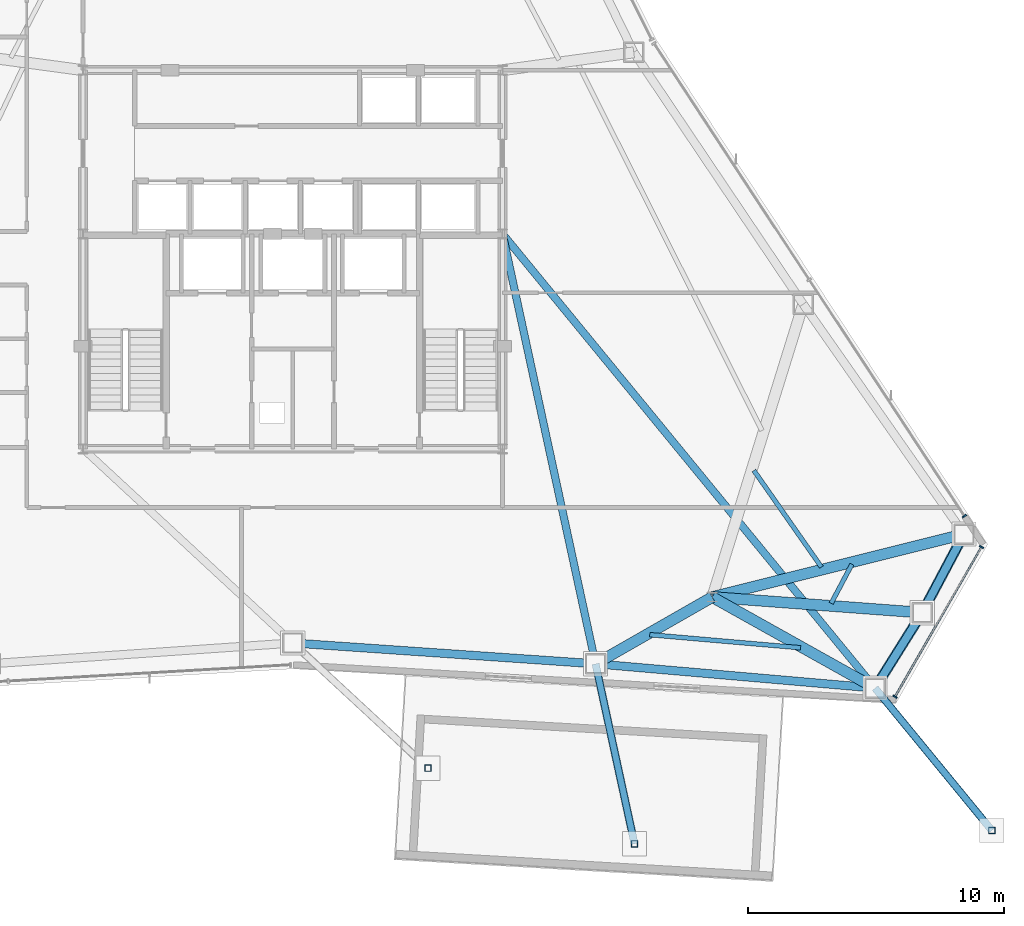
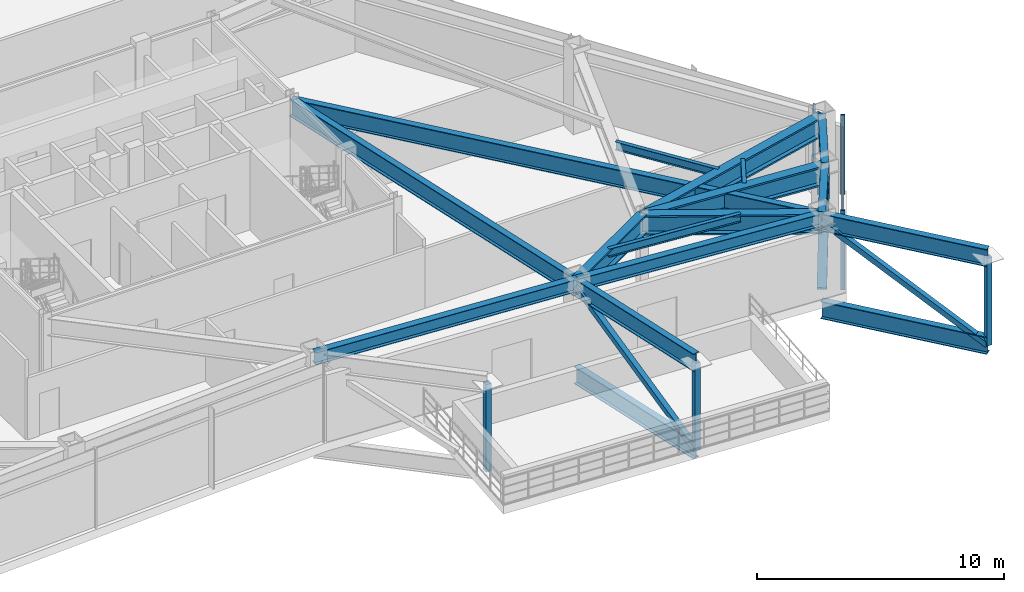
# One storey, part 5 of 13: 17 beams, 11 members, 2 elements without a shape of their own.
"""IFC4 building model written with IfcOpenShell, lengths in metres."""

from ifc_helpers import new_model, si_unit, direction, frame, origin, origin_2d, place, context, subcontext, project, spatial, rectangle, hollow_rectangle, i_section, extrude, source, transform, mapped, material, layer, layer_set, material_profile, profile_set, type_object, type_shapes, element, aggregate, save


model = new_model("IFC4")

# Units and contexts
model_context = context("Model", 3, precision=1e-05, world=origin(), true_north=direction((0.0, 1.0)))
body_context = subcontext(model_context, "Body", "Model", "MODEL_VIEW")
ifc_project = project(units=[si_unit("LENGTHUNIT", "METRE"), si_unit("AREAUNIT", "SQUARE_METRE"), si_unit("VOLUMEUNIT", "CUBIC_METRE"), si_unit("PLANEANGLEUNIT", "RADIAN"), si_unit("MASSUNIT", "GRAM", prefix="KILO")], contexts=[model_context])

# Site, building, storey
site_placement = place(None, origin())
site = spatial("IfcSite", under=ifc_project, at=site_placement, CompositionType="ELEMENT")
building_placement = place(site_placement, origin())
building = spatial("IfcBuilding", under=site, at=building_placement, Name="Varakhsha Concourse Tower", CompositionType="ELEMENT")
storey_placement = place(building_placement, frame((0.0, 0.0, 196.5)))
storey = spatial("IfcBuildingStorey", under=building, at=storey_placement, Name="L56", CompositionType="ELEMENT", Elevation=196.5)

# Beams
ifc_material_1 = material(Name="Structural Steel ASTM A992 Grade 50", Category="steel")
ifc_material_profile_1 = material_profile(ifc_material_1, i_section(OverallWidth=0.177978515625, OverallDepth=0.406982421875, WebThickness=0.008056640625, FlangeThickness=0.012939453125, at=origin_2d()), Name="W16X40")
ifc_profile_set_1 = profile_set([ifc_material_profile_1], Name="Structural Steel ASTM A992 Grade 50")
beam_type_1 = type_object("IfcBeamType", Name="BM-JST-W16X40", PredefinedType="JOIST", material=ifc_profile_set_1)
beam_1_placement = place(storey_placement, frame((53.954345703125, 9.130126953125, 3.736572265625), z_axis=(0.996242289526, -0.086610048839, 0.0), x_axis=(0.086610048839, 0.996242289526, 0.0)))
element("IfcBeam", 1, at=beam_1_placement, inside=storey, type_object=beam_type_1, Name="BM-TJST-L56-12", PredefinedType="JOIST", context=body_context, shape_type="SweptSolid", body=[
    extrude(i_section(OverallWidth=0.177978515625, OverallDepth=0.406982421875, WebThickness=0.008056640625, FlangeThickness=0.012939453125, at=origin_2d()), origin(), (0.0, 0.0, 1.0), 5.92236328125),
])
beam_2_placement = place(storey_placement, frame((61.049560546875, 10.356201171875, 3.736572265625), z_axis=(0.468724805375, 0.883344245935, 0.0), x_axis=(-0.883344245935, 0.468724805375, 0.0)))
element("IfcBeam", 2, at=beam_2_placement, inside=storey, type_object=beam_type_1, Name="BM-TJST-L56-14", PredefinedType="JOIST", context=body_context, shape_type="SweptSolid", body=[
    extrude(i_section(OverallWidth=0.177978515625, OverallDepth=0.406982421875, WebThickness=0.008056640625, FlangeThickness=0.012939453125, at=origin_2d()), origin(), (0.0, 0.0, 1.0), 1.728271484375),
])
beam_3_placement = place(storey_placement, frame((60.6669921875, 11.7744140625, 3.736572265625), z_axis=(-0.573117242936, 0.819473383246, 0.0), x_axis=(-0.819473383246, -0.573117242936, 0.0)))
element("IfcBeam", 3, at=beam_3_placement, inside=storey, type_object=beam_type_1, Name="BM-TJST-L56-15", PredefinedType="JOIST", context=body_context, shape_type="SweptSolid", body=[
    extrude(i_section(OverallWidth=0.177978515625, OverallDepth=0.406982421875, WebThickness=0.008056640625, FlangeThickness=0.012939453125, at=origin_2d()), origin(), (0.0, 0.0, 1.0), 4.606201171875),
])
ifc_material_profile_2 = material_profile(ifc_material_1, i_section(OverallWidth=0.2919921875, OverallDepth=0.85888671875, WebThickness=0.01708984375, FlangeThickness=0.031005859375, at=origin_2d()), Name="W33X169")
ifc_profile_set_2 = profile_set([ifc_material_profile_2], Name="Structural Steel ASTM A992 Grade 50")
beam_type_2 = type_object("IfcBeamType", Name="BM-POOL-W33X169", PredefinedType="USERDEFINED", material=ifc_profile_set_2)
beam_4_placement = place(storey_placement, frame((51.837158203125, 7.9921875, -0.849609375), z_axis=(0.211487756536, -0.977380646849, 0.0), x_axis=(0.977380646849, 0.211487756536, 0.0)))
element("IfcBeam", 4, at=beam_4_placement, inside=storey, type_object=beam_type_2, Name="Sky Pool Truss SPT-M Cantilever Bottom Chord", ObjectType="GIRDER", PredefinedType="USERDEFINED", context=body_context, shape_type="SweptSolid", body=[
    extrude(i_section(OverallWidth=0.2919921875, OverallDepth=0.85888671875, WebThickness=0.01708984375, FlangeThickness=0.031005859375, at=origin_2d()), origin(), (0.0, 0.0, 1.0), 7.199951171875),
])
beam_5_placement = place(storey_placement, frame((48.199951171875, 24.800048828125, 3.490478515625), z_axis=(0.211503606366, -0.977377217094, 0.0), x_axis=(0.977377217094, 0.211503606366, 0.0)))
element("IfcBeam", 5, at=beam_5_placement, inside=storey, type_object=beam_type_2, Name="Sky Pool Truss SPT-M Back-Span Top Chord", ObjectType="GIRDER", PredefinedType="USERDEFINED", context=body_context, shape_type="SweptSolid", body=[
    extrude(i_section(OverallWidth=0.2919921875, OverallDepth=0.85888671875, WebThickness=0.01708984375, FlangeThickness=0.031005859375, at=origin_2d()), origin(), (0.0, 0.0, 1.0), 17.197021484375),
])
beam_6_placement = place(storey_placement, frame((51.837158203125, 7.9921875, 3.490478515625), z_axis=(0.211487756536, -0.977380646849, 0.0), x_axis=(0.977380646849, 0.211487756536, 0.0)))
element("IfcBeam", 6, at=beam_6_placement, inside=storey, type_object=beam_type_2, Name="Sky Pool Truss SPT-M Cantilever Top Chord", ObjectType="GIRDER", PredefinedType="USERDEFINED", context=body_context, shape_type="SweptSolid", body=[
    extrude(i_section(OverallWidth=0.2919921875, OverallDepth=0.85888671875, WebThickness=0.01708984375, FlangeThickness=0.031005859375, at=origin_2d()), origin(), (0.0, 0.0, 1.0), 7.199951171875),
])
beam_7_placement = place(storey_placement, frame((62.764404296875, 7.04248046875, -0.849609375), z_axis=(0.634171631052, -0.773192306201, 0.0), x_axis=(0.773192306201, 0.634171631052, 0.0)))
element("IfcBeam", 7, at=beam_7_placement, inside=storey, type_object=beam_type_2, Name="Sky Pool Truss SPT-2 Cantilever Bottom Chord", ObjectType="GIRDER", PredefinedType="USERDEFINED", context=body_context, shape_type="SweptSolid", body=[
    extrude(i_section(OverallWidth=0.2919921875, OverallDepth=0.85888671875, WebThickness=0.01708984375, FlangeThickness=0.031005859375, at=origin_2d()), origin(), (0.0, 0.0, 1.0), 7.2001953125),
])
beam_8_placement = place(storey_placement, frame((48.199951171875, 24.800048828125, 3.490478515625), z_axis=(0.63416412379, -0.773198463589, 0.0), x_axis=(0.773198463589, 0.63416412379, 0.0)))
element("IfcBeam", 8, at=beam_8_placement, inside=storey, type_object=beam_type_2, Name="Sky Pool Truss SPT-2 Back-Span Top Chord", ObjectType="GIRDER", PredefinedType="USERDEFINED", context=body_context, shape_type="SweptSolid", body=[
    extrude(i_section(OverallWidth=0.2919921875, OverallDepth=0.85888671875, WebThickness=0.01708984375, FlangeThickness=0.031005859375, at=origin_2d()), origin(), (0.0, 0.0, 1.0), 22.96630859375),
])
beam_9_placement = place(storey_placement, frame((62.764404296875, 7.04248046875, 3.490478515625), z_axis=(0.634171631052, -0.773192306201, 0.0), x_axis=(0.773192306201, 0.634171631052, 0.0)))
element("IfcBeam", 9, at=beam_9_placement, inside=storey, type_object=beam_type_2, Name="Sky Pool Truss SPT-2 Cantilever Top Chord", ObjectType="GIRDER", PredefinedType="USERDEFINED", context=body_context, shape_type="SweptSolid", body=[
    extrude(i_section(OverallWidth=0.2919921875, OverallDepth=0.85888671875, WebThickness=0.01708984375, FlangeThickness=0.031005859375, at=origin_2d()), origin(), (0.0, 0.0, 1.0), 7.2001953125),
])
ifc_material_profile_3 = material_profile(ifc_material_1, i_section(OverallWidth=0.323974609375, OverallDepth=0.611083984375, WebThickness=0.012939453125, FlangeThickness=0.01904296875, at=origin_2d()), Name="W24X104")
ifc_profile_set_3 = profile_set([ifc_material_profile_3], Name="Structural Steel ASTM A992 Grade 50")
beam_type_3 = type_object("IfcBeamType", Name="BM-SPAN-W24X104", PredefinedType="SPANDREL", material=ifc_profile_set_3)
beam_10_placement = place(storey_placement, frame((40.0, 8.806396484375, 3.634521484375), z_axis=(0.997642731014, -0.068622017282, 0.0), x_axis=(0.068622017282, 0.997642731014, 0.0)))
element("IfcBeam", 10, at=beam_10_placement, inside=storey, type_object=beam_type_3, Name="BM-SPAN-L56-11", PredefinedType="SPANDREL", context=body_context, shape_type="SweptSolid", body=[
    extrude(i_section(OverallWidth=0.323974609375, OverallDepth=0.611083984375, WebThickness=0.012939453125, FlangeThickness=0.01904296875, at=origin_2d()), origin(), (0.0, 0.0, 1.0), 11.865234375),
])
beam_11_placement = place(storey_placement, frame((51.837158203125, 7.9921875, 3.634521484375), z_axis=(0.996244429203, -0.086585433433, 0.0), x_axis=(0.086585433433, 0.996244429203, 0.0)))
element("IfcBeam", 11, at=beam_11_placement, inside=storey, type_object=beam_type_3, Name="BM-SPAN-L56-12", PredefinedType="SPANDREL", context=body_context, shape_type="SweptSolid", body=[
    extrude(i_section(OverallWidth=0.323974609375, OverallDepth=0.611083984375, WebThickness=0.012939453125, FlangeThickness=0.01904296875, at=origin_2d()), origin(), (0.0, 0.0, 1.0), 10.968505859375),
])
for number, where, z_axis, x_axis, name in (
    (12, (62.764404296875, 7.04248046875, 3.634521484375), (0.530698979361, 0.84756037738, 0.0), (-0.84756037738, 0.530698979361, 0.0), "BM-SPAN-L56-13"),
    (13, (64.610595703125, 9.990966796875, 3.634521484375), (0.46872586503, 0.883343683654, 0.0), (-0.883343683654, 0.46872586503, 0.0), "BM-SPAN-L56-14"),
):
    element("IfcBeam", number, at=place(storey_placement, frame(where, z_axis=z_axis, x_axis=x_axis)), inside=storey, type_object=beam_type_3, Name=name, PredefinedType="SPANDREL", context=body_context, shape_type="SweptSolid", body=[
        extrude(i_section(OverallWidth=0.323974609375, OverallDepth=0.611083984375, WebThickness=0.012939453125, FlangeThickness=0.01904296875, at=origin_2d()), origin(), (0.0, 0.0, 1.0), 3.478759765625),
    ])
ifc_material_profile_4 = material_profile(ifc_material_1, i_section(OverallWidth=0.427978515625, OverallDepth=0.97509765625, WebThickness=0.050048828125, FlangeThickness=0.0810546875, at=origin_2d()), Name="W36X395")
ifc_profile_set_4 = profile_set([ifc_material_profile_4], Name="Structural Steel ASTM A992 Grade 50")
beam_type_4 = type_object("IfcBeamType", Name="BM-XFER-W36X395", PredefinedType="USERDEFINED", material=ifc_profile_set_4)
beam_12_placement = place(storey_placement, frame((56.39990234375, 10.60009765625, 3.452392578125), z_axis=(-0.868191679953, -0.496228986316, 0.0), x_axis=(0.496228986316, -0.868191679953, 0.0)))
element("IfcBeam", 14, at=beam_12_placement, inside=storey, type_object=beam_type_4, Name="L56 Radial Floor Girder 12", ObjectType="GIRDER", PredefinedType="USERDEFINED", context=body_context, shape_type="SweptSolid", body=[
    extrude(i_section(OverallWidth=0.427978515625, OverallDepth=0.97509765625, WebThickness=0.050048828125, FlangeThickness=0.0810546875, at=origin_2d()), origin(), (0.0, 0.0, 1.0), 5.25537109375),
])
beam_13_placement = place(storey_placement, frame((56.39990234375, 10.60009765625, 3.452392578125), z_axis=(0.872886021886, -0.487924167054, 0.0), x_axis=(0.487924167054, 0.872886021886, 0.0)))
element("IfcBeam", 15, at=beam_13_placement, inside=storey, type_object=beam_type_4, Name="L56 Radial Floor Girder 13", ObjectType="GIRDER", PredefinedType="USERDEFINED", context=body_context, shape_type="SweptSolid", body=[
    extrude(i_section(OverallWidth=0.427978515625, OverallDepth=0.97509765625, WebThickness=0.050048828125, FlangeThickness=0.0810546875, at=origin_2d()), origin(), (0.0, 0.0, 1.0), 7.291259765625),
])
beam_14_placement = place(storey_placement, frame((56.39990234375, 10.60009765625, 3.452392578125), z_axis=(0.997259414531, -0.073984188375, 0.0), x_axis=(0.073984188375, 0.997259414531, 0.0)))
element("IfcBeam", 16, at=beam_14_placement, inside=storey, type_object=beam_type_4, Name="L56 Radial Floor Girder 14", ObjectType="GIRDER", PredefinedType="USERDEFINED", context=body_context, shape_type="SweptSolid", body=[
    extrude(i_section(OverallWidth=0.427978515625, OverallDepth=0.97509765625, WebThickness=0.050048828125, FlangeThickness=0.0810546875, at=origin_2d()), origin(), (0.0, 0.0, 1.0), 8.233154296875),
])
beam_15_placement = place(storey_placement, frame((56.39990234375, 10.60009765625, 3.452392578125), z_axis=(0.970060340423, 0.242864027674, 0.0), x_axis=(-0.242864027674, 0.970060340423, 0.0)))
element("IfcBeam", 17, at=beam_15_placement, inside=storey, type_object=beam_type_4, Name="L56 Radial Floor Girder 15", ObjectType="GIRDER", PredefinedType="USERDEFINED", context=body_context, shape_type="SweptSolid", body=[
    extrude(i_section(OverallWidth=0.427978515625, OverallDepth=0.97509765625, WebThickness=0.050048828125, FlangeThickness=0.0810546875, at=origin_2d()), origin(), (0.0, 0.0, 1.0), 10.14501953125),
])

# Members
ifc_material_2 = material(Name="Structural Steel ASTM A500 Grade C", Category="steel")
ifc_material_profile_5 = material_profile(ifc_material_2, hollow_rectangle(XDim=0.39990234375, YDim=0.39990234375, WallThickness=0.01611328125, at=origin_2d()), Name="HSS 400x400x16")
ifc_profile_set_5 = profile_set([ifc_material_profile_5], Name="Structural Steel ASTM A500 Grade C")
member_type_1 = type_object("IfcMemberType", Name="MB-TUBE-HSS400", PredefinedType="BRACE", material=ifc_profile_set_5)
shared_shape_1 = source(origin(), body_context, "Body", "SweptSolid", [
    extrude(hollow_rectangle(XDim=0.39990234375, YDim=0.39990234375, WallThickness=0.01611328125, at=origin_2d()), origin(), (0.0, 0.0, 1.0), 4.94873046875),
])
type_shapes(member_type_1, [shared_shape_1])
for number, where, z_axis, x_axis, name in (
    (18, (62.764404296875, 7.04248046875, 0.1201171875), (0.373056939242, 0.595795907858, 0.711235373321), (-0.84756037738, 0.530698979361, 0.0), "L56 Wind-Corner Tube Brace B05"),
    (19, (66.2412109375, 13.06396484375, 0.1201171875), (-0.329494269159, -0.620952892035, 0.711232052473), (0.883343683654, -0.46872586503, 0.0), "L56 Wind-Corner Tube Brace B06"),
):
    element("IfcMember", number, at=place(storey_placement, frame(where, z_axis=z_axis, x_axis=x_axis)), inside=storey, type_object=member_type_1, Name=name, PredefinedType="BRACE", context=body_context, shape_type="MappedRepresentation", body=[
        mapped(shared_shape_1, transform((0.0, 0.0, 0.0), scale=1.0)),
    ])
ifc_material_profile_6 = material_profile(ifc_material_2, hollow_rectangle(XDim=0.25, YDim=0.25, WallThickness=0.011962890625, at=origin_2d()), Name="HSS 250x250x12")
ifc_profile_set_6 = profile_set([ifc_material_profile_6], Name="Structural Steel ASTM A500 Grade C")
member_type_2 = type_object("IfcMemberType", Name="MB-POOL-HSS250", PredefinedType="CHORD", material=ifc_profile_set_6)
shared_shape_2 = source(origin(), body_context, "Body", "SweptSolid", [
    extrude(hollow_rectangle(XDim=0.25, YDim=0.25, WallThickness=0.011962890625, at=origin_2d()), origin(), (0.0, 0.0, 1.0), 8.406982421875),
])
for number, where, z_axis, x_axis, name in (
    (20, (51.837158203125, 7.9921875, 3.489990234375), (0.181125716353, -0.837063916652, -0.51625330441), (0.977380646849, 0.211487756536, 0.0), "Sky Pool Truss SPT-M Tension Diagonal"),
    (21, (62.764404296875, 7.04248046875, 3.489990234375), (0.543132028707, -0.662195351046, -0.51624114176), (0.773192306201, 0.634171631052, 0.0), "Sky Pool Truss SPT-2 Tension Diagonal"),
):
    element("IfcMember", number, at=place(storey_placement, frame(where, z_axis=z_axis, x_axis=x_axis)), inside=storey, type_object=member_type_2, Name=name, PredefinedType="CHORD", context=body_context, shape_type="MappedRepresentation", body=[
        mapped(shared_shape_2, transform((0.0, 0.0, 0.0), scale=1.0)),
    ])
shared_shape_3 = source(origin(), body_context, "Body", "SweptSolid", [
    extrude(hollow_rectangle(XDim=0.25, YDim=0.25, WallThickness=0.011962890625, at=origin_2d()), origin(), (0.0, 0.0, 1.0), 4.340087890625),
])
type_shapes(member_type_2, [shared_shape_2, shared_shape_3])
for number, where, z_axis, x_axis, name in (
    (22, (45.28271484375, 3.914306640625, -0.85009765625), (0.0, 0.0, 1.0), (1.0, 0.0, 0.0), "Sky Pool Truss SPT-1 Tip Vertical Post"),
    (23, (53.35986328125, 0.955078125, -0.85009765625), (0.0, 0.0, 1.0), (1.0, 0.0, 0.0), "Sky Pool Truss SPT-M Tip Vertical Post"),
    (24, (67.33056640625, 1.475341796875, -0.85009765625), (0.0, 0.0, 1.0), (1.0, 0.0, 0.0), "Sky Pool Truss SPT-2 Tip Vertical Post"),
):
    element("IfcMember", number, at=place(storey_placement, frame(where, z_axis=z_axis, x_axis=x_axis)), inside=storey, type_object=member_type_2, Name=name, PredefinedType="CHORD", context=body_context, shape_type="MappedRepresentation", body=[
        mapped(shared_shape_3, transform((0.0, 0.0, 0.0), scale=1.0)),
    ])

# Curtain wall, members
ifc_material_3 = material(Name="Anodised Bronze Architectural Aluminium AA 6063-T6", Category="aluminium")
ifc_layer = layer(ifc_material_3, 0.2099609375, Name="CW-SYS-04")
ifc_layer_set = layer_set([ifc_layer], Name="Anodised Bronze Architectural Aluminium AA 6063-T6")
curtain_wall_type = type_object("IfcCurtainWallType", Name="CW-SYS-04", PredefinedType="NOTDEFINED", material=ifc_layer_set)
curtain_wall_1_placement = place(storey_placement, origin())
curtain_wall_1 = element("IfcCurtainWall", 25, at=curtain_wall_1_placement, inside=storey, type_object=curtain_wall_type, Name="L56 Chamfer Curtain Wall F7", PredefinedType="NOTDEFINED")
ifc_material_profile_7 = material_profile(ifc_material_3, rectangle(XDim=0.06494140625, YDim=0.179931640625, at=origin_2d()), Name="CWM-180X65")
ifc_profile_set_7 = profile_set([ifc_material_profile_7], Name="Anodised Bronze Architectural Aluminium AA 6063-T6")
member_type_3 = type_object("IfcMemberType", Name="CWM-180X65", PredefinedType="MULLION", material=ifc_profile_set_7)
shared_shape_4 = source(origin(), body_context, "Body", "SweptSolid", [
    extrude(rectangle(XDim=0.06494140625, YDim=0.179931640625, at=origin_2d()), origin(), (0.0, 0.0, 1.0), 3.93994140625),
])
type_shapes(member_type_3, [shared_shape_4])
member_1_placement = place(storey_placement, frame((66.924072265625, 12.55810546875, 0.0), z_axis=(0.0, 0.0, 1.0), x_axis=(-0.499995465495, -0.866028021766, 0.0)))
member_1 = element("IfcMember", 26, at=member_1_placement, type_object=member_type_3, Name="CW-L56-F7 Mullion 00", PredefinedType="MULLION", context=body_context, shape_type="MappedRepresentation", body=[
    mapped(shared_shape_4, transform((0.0, 0.0, 0.0), scale=1.0)),
])
member_2_placement = place(storey_placement, frame((63.544189453125, 6.703857421875, 0.0), z_axis=(0.0, 0.0, 1.0), x_axis=(-0.499995465495, -0.866028021766, 0.0)))
member_2 = element("IfcMember", 27, at=member_2_placement, type_object=member_type_3, Name="CW-L56-F7 Mullion 01", PredefinedType="MULLION", context=body_context, shape_type="MappedRepresentation", body=[
    mapped(shared_shape_4, transform((0.0, 0.0, 0.0), scale=1.0)),
])

# Curtain wall, member
curtain_wall_2_placement = place(storey_placement, origin())
curtain_wall_2 = element("IfcCurtainWall", 28, at=curtain_wall_2_placement, inside=storey, type_object=curtain_wall_type, Name="L56 Crystal Curtain Wall F8", PredefinedType="NOTDEFINED")
member_3_placement = place(storey_placement, frame((66.25927734375, 13.767578125, 0.0), z_axis=(0.0, 0.0, 1.0), x_axis=(0.549079708329, -0.835769988634, 0.0)))
member_3 = element("IfcMember", 29, at=member_3_placement, type_object=member_type_3, Name="CW-L56-F8 Mullion 02", PredefinedType="MULLION", context=body_context, shape_type="MappedRepresentation", body=[
    mapped(shared_shape_4, transform((0.0, 0.0, 0.0), scale=1.0)),
])
aggregate(curtain_wall_2, [member_3])

# Member
ifc_material_profile_8 = material_profile(ifc_material_3, rectangle(XDim=0.06005859375, YDim=0.139892578125, at=origin_2d()), Name="CWT-140X60")
ifc_profile_set_8 = profile_set([ifc_material_profile_8], Name="Anodised Bronze Architectural Aluminium AA 6063-T6")
member_type_4 = type_object("IfcMemberType", Name="CWT-140X60", PredefinedType="USERDEFINED", material=ifc_profile_set_8)
shared_shape_5 = source(origin(), body_context, "Body", "SweptSolid", [
    extrude(rectangle(XDim=0.06005859375, YDim=0.139892578125, at=origin_2d()), origin(), (0.0, 0.0, 1.0), 6.759765625),
])
type_shapes(member_type_4, [shared_shape_5])
member_4_placement = place(storey_placement, frame((66.924072265625, 12.55810546875, 3.2900390625), z_axis=(-0.499992358568, -0.866029815523, 0.0), x_axis=(0.866029815523, -0.499992358568, 0.0)))
member_4 = element("IfcMember", 30, at=member_4_placement, type_object=member_type_4, Name="CW-L56-F7 Transom 01", ObjectType="TRANSOM", PredefinedType="USERDEFINED", context=body_context, shape_type="MappedRepresentation", body=[
    mapped(shared_shape_5, transform((0.0, 0.0, 0.0), scale=1.0)),
])

aggregate(curtain_wall_1, [member_1, member_2, member_4])

save(model, "model.ifc")
